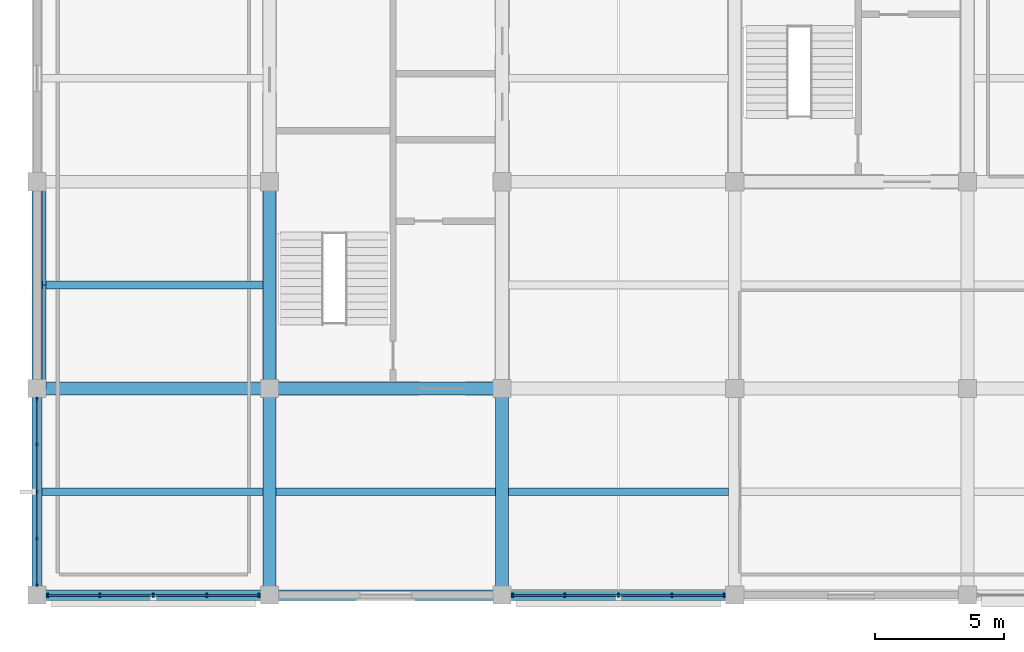
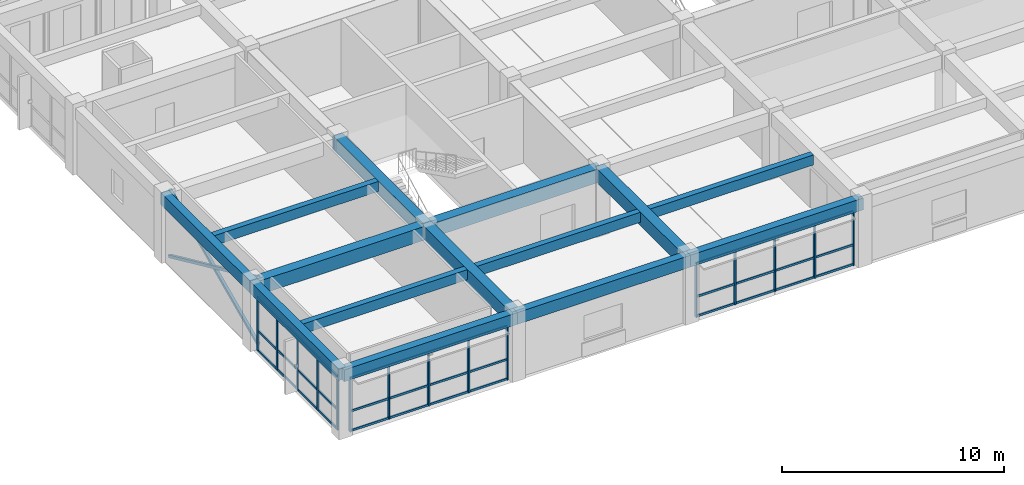
# One storey, part 2 of 13: 26 members, 14 beams, 3 elements without a shape of their own.
"""IFC4 building model written with IfcOpenShell, lengths in metres."""

from ifc_helpers import new_model, si_unit, direction, frame, origin, origin_2d, place, context, subcontext, project, spatial, rectangle, hollow_rectangle, extrude, material, material_profile, profile_set, type_object, element, aggregate, save


model = new_model("IFC4")

# Units and contexts
model_context = context("Model", 3, precision=1e-05, world=origin(), true_north=direction((0.0, 1.0)))
body_context = subcontext(model_context, "Body", "Model", "MODEL_VIEW")
ifc_project = project(units=[si_unit("LENGTHUNIT", "METRE"), si_unit("AREAUNIT", "SQUARE_METRE"), si_unit("VOLUMEUNIT", "CUBIC_METRE"), si_unit("PLANEANGLEUNIT", "RADIAN"), si_unit("MASSUNIT", "GRAM", prefix="KILO")], contexts=[model_context])

# Site, building, storey
site_placement = place(None, origin())
site = spatial("IfcSite", under=ifc_project, at=site_placement, CompositionType="ELEMENT")
building_placement = place(site_placement, origin())
building = spatial("IfcBuilding", under=site, at=building_placement, Name="Zaverband Oceanarium and Marine Research Institute", CompositionType="ELEMENT")
storey_placement = place(building_placement, frame((0.0, 0.0, 64.800048828125)))
storey = spatial("IfcBuildingStorey", under=building, at=storey_placement, Name="L16", CompositionType="ELEMENT", Elevation=64.800048828125)

# Beams
ifc_material_1 = material(Name="Concrete C40/50", Category="concrete")
ifc_material_profile_1 = material_profile(ifc_material_1, rectangle(XDim=0.5, YDim=0.75, at=origin_2d()), Name="RC500x750")
ifc_profile_set_1 = profile_set([ifc_material_profile_1], Name="Concrete C40/50")
beam_type_1 = type_object("IfcBeamType", Name="BM-500x750", PredefinedType="BEAM", material=ifc_profile_set_1)
for number, where, z_axis, x_axis, name in (
    (1, (9.0, 80.0, 3.27490234375), (1.0, 0.0, 0.0), (0.0, 1.0, 0.0), "Primary floor girder BM-500x750"),
    (2, (18.0, 80.0, 3.27490234375), (1.0, 0.0, 0.0), (0.0, 1.0, 0.0), "Primary floor girder BM-500x750"),
):
    element("IfcBeam", number, at=place(storey_placement, frame(where, z_axis=z_axis, x_axis=x_axis)), inside=storey, type_object=beam_type_1, Name=name, PredefinedType="BEAM", context=body_context, shape_type="SweptSolid", body=[
        extrude(rectangle(XDim=0.5, YDim=0.75, at=origin_2d()), origin(), (0.0, 0.0, 1.0), 9.0),
    ])
for number, where, z_axis, x_axis, name in (
    (3, (18.0, 72.0, 3.27490234375), (0.0, 1.0, 0.0), (-1.0, 0.0, 0.0), "Primary floor girder BM-500x750"),
    (4, (18.0, 80.0, 3.27490234375), (0.0, 1.0, 0.0), (-1.0, 0.0, 0.0), "Primary floor girder BM-500x750"),
    (5, (27.0, 72.0, 3.27490234375), (0.0, 1.0, 0.0), (-1.0, 0.0, 0.0), "Primary floor girder BM-500x750"),
):
    element("IfcBeam", number, at=place(storey_placement, frame(where, z_axis=z_axis, x_axis=x_axis)), inside=storey, type_object=beam_type_1, Name=name, PredefinedType="BEAM", context=body_context, shape_type="SweptSolid", body=[
        extrude(rectangle(XDim=0.5, YDim=0.75, at=origin_2d()), origin(), (0.0, 0.0, 1.0), 8.0),
    ])

# Members
ifc_material_2 = material(Name="Steel S355", Category="steel")
ifc_material_profile_2 = material_profile(ifc_material_2, hollow_rectangle(XDim=0.14990234375, YDim=0.14990234375, WallThickness=0.008056640625, at=origin_2d()), Name="SHS150x150x8")
ifc_profile_set_2 = profile_set([ifc_material_profile_2], Name="Steel S355")
member_type_1 = type_object("IfcMemberType", Name="BR-04", PredefinedType="BRACE", material=ifc_profile_set_2)
for number, where, z_axis, x_axis, name in (
    (6, (9.280029296875, 80.0, 0.0), (0.0, 0.909785572369, 0.415078561612), (-1.0, 0.0, 0.0), "Diagonal lateral brace BR-04"),
    (7, (9.280029296875, 88.0, 0.0), (0.0, -0.909785572369, 0.415078561612), (1.0, 0.0, 0.0), "Diagonal lateral brace BR-04"),
):
    element("IfcMember", number, at=place(storey_placement, frame(where, z_axis=z_axis, x_axis=x_axis)), inside=storey, type_object=member_type_1, Name=name, PredefinedType="BRACE", context=body_context, shape_type="SweptSolid", body=[
        extrude(hollow_rectangle(XDim=0.14990234375, YDim=0.14990234375, WallThickness=0.008056640625, at=origin_2d()), origin(), (0.0, 0.0, 1.0), 8.793212890625),
    ])

# Beams
ifc_material_profile_3 = material_profile(ifc_material_1, rectangle(XDim=0.300048828125, YDim=0.550048828125, at=origin_2d()), Name="RC300x550")
ifc_profile_set_3 = profile_set([ifc_material_profile_3], Name="Concrete C40/50")
beam_type_2 = type_object("IfcBeamType", Name="JST-300x550", PredefinedType="JOIST", material=ifc_profile_set_3)
for number, where, z_axis, x_axis, name in (
    (8, (9.199951171875, 76.0, 3.375), (1.0, 0.0, 0.0), (0.0, 1.0, 0.0), "Secondary floor joist JST-300x550"),
    (9, (9.199951171875, 84.0, 3.375), (1.0, 0.0, 0.0), (0.0, 1.0, 0.0), "Secondary floor joist JST-300x550"),
):
    element("IfcBeam", number, at=place(storey_placement, frame(where, z_axis=z_axis, x_axis=x_axis)), inside=storey, type_object=beam_type_2, Name=name, PredefinedType="JOIST", context=body_context, shape_type="SweptSolid", body=[
        extrude(rectangle(XDim=0.300048828125, YDim=0.550048828125, at=origin_2d()), origin(), (0.0, 0.0, 1.0), 8.550048828125),
    ])
for number, where, z_axis, x_axis, name in (
    (10, (18.25, 76.0, 3.375), (1.0, 0.0, 0.0), (0.0, 1.0, 0.0), "Secondary floor joist JST-300x550"),
    (11, (27.25, 76.0, 3.375), (1.0, 0.0, 0.0), (0.0, 1.0, 0.0), "Secondary floor joist JST-300x550"),
):
    element("IfcBeam", number, at=place(storey_placement, frame(where, z_axis=z_axis, x_axis=x_axis)), inside=storey, type_object=beam_type_2, Name=name, PredefinedType="JOIST", context=body_context, shape_type="SweptSolid", body=[
        extrude(rectangle(XDim=0.300048828125, YDim=0.550048828125, at=origin_2d()), origin(), (0.0, 0.0, 1.0), 8.5),
    ])

# Curtain wall, members
ifc_material_3 = material(Name="Thermally broken anodized aluminium and solar-control glass", Category="aluminium")
curtain_wall_type = type_object("IfcCurtainWallType", Name="CW-UNIT-1800", PredefinedType="NOTDEFINED", material=ifc_material_3)
curtain_wall_1_placement = place(storey_placement, origin())
curtain_wall_1 = element("IfcCurtainWall", 12, at=curtain_wall_1_placement, inside=storey, type_object=curtain_wall_type, Name="Unitised glazed curtain wall CW-165", PredefinedType="NOTDEFINED")
ifc_material_4 = material(Name="Thermally broken anodized aluminium", Category="aluminium")
ifc_material_profile_4 = material_profile(ifc_material_4, rectangle(XDim=0.070068359375, YDim=0.14990234375, at=origin_2d()), Name="AL-MUL-70x150")
ifc_profile_set_4 = profile_set([ifc_material_profile_4], Name="Thermally broken anodized aluminium")
member_type_2 = type_object("IfcMemberType", Name="MUL-70x150", PredefinedType="MULLION", material=ifc_profile_set_4)
member_1_placement = place(storey_placement, frame((9.4150390625, 72.0, 0.0), z_axis=(0.0, 0.0, 1.0), x_axis=(1.0, 0.0, 0.0)))
member_1 = element("IfcMember", 13, at=member_1_placement, type_object=member_type_2, Name="Curtain wall vertical mullion MUL-70x150", PredefinedType="MULLION", context=body_context, shape_type="SweptSolid", body=[
    extrude(rectangle(XDim=0.070068359375, YDim=0.14990234375, at=origin_2d()), origin(), (0.0, 0.0, 1.0), 2.97998046875),
])
member_2_placement = place(storey_placement, frame((11.427490234375, 72.0, 0.0), z_axis=(0.0, 0.0, 1.0), x_axis=(1.0, 0.0, 0.0)))
member_2 = element("IfcMember", 14, at=member_2_placement, type_object=member_type_2, Name="Curtain wall vertical mullion MUL-70x150", PredefinedType="MULLION", context=body_context, shape_type="SweptSolid", body=[
    extrude(rectangle(XDim=0.070068359375, YDim=0.14990234375, at=origin_2d()), origin(), (0.0, 0.0, 1.0), 2.97998046875),
])
member_3_placement = place(storey_placement, frame((13.5, 72.0, 0.0), z_axis=(0.0, 0.0, 1.0), x_axis=(1.0, 0.0, 0.0)))
member_3 = element("IfcMember", 15, at=member_3_placement, type_object=member_type_2, Name="Curtain wall vertical mullion MUL-70x150", PredefinedType="MULLION", context=body_context, shape_type="SweptSolid", body=[
    extrude(rectangle(XDim=0.070068359375, YDim=0.14990234375, at=origin_2d()), origin(), (0.0, 0.0, 1.0), 2.97998046875),
])
member_4_placement = place(storey_placement, frame((15.572509765625, 72.0, 0.0), z_axis=(0.0, 0.0, 1.0), x_axis=(1.0, 0.0, 0.0)))
member_4 = element("IfcMember", 16, at=member_4_placement, type_object=member_type_2, Name="Curtain wall vertical mullion MUL-70x150", PredefinedType="MULLION", context=body_context, shape_type="SweptSolid", body=[
    extrude(rectangle(XDim=0.070068359375, YDim=0.14990234375, at=origin_2d()), origin(), (0.0, 0.0, 1.0), 2.97998046875),
])
member_5_placement = place(storey_placement, frame((17.5849609375, 72.0, 0.0), z_axis=(0.0, 0.0, 1.0), x_axis=(1.0, 0.0, 0.0)))
member_5 = element("IfcMember", 17, at=member_5_placement, type_object=member_type_2, Name="Curtain wall vertical mullion MUL-70x150", PredefinedType="MULLION", context=body_context, shape_type="SweptSolid", body=[
    extrude(rectangle(XDim=0.070068359375, YDim=0.14990234375, at=origin_2d()), origin(), (0.0, 0.0, 1.0), 2.97998046875),
])

curtain_wall_2_placement = place(storey_placement, origin())
curtain_wall_2 = element("IfcCurtainWall", 18, at=curtain_wall_2_placement, inside=storey, type_object=curtain_wall_type, Name="Unitised glazed curtain wall CW-166", PredefinedType="NOTDEFINED")
member_6_placement = place(storey_placement, frame((27.4150390625, 72.0, 0.0), z_axis=(0.0, 0.0, 1.0), x_axis=(1.0, 0.0, 0.0)))
member_6 = element("IfcMember", 19, at=member_6_placement, type_object=member_type_2, Name="Curtain wall vertical mullion MUL-70x150", PredefinedType="MULLION", context=body_context, shape_type="SweptSolid", body=[
    extrude(rectangle(XDim=0.070068359375, YDim=0.14990234375, at=origin_2d()), origin(), (0.0, 0.0, 1.0), 2.97998046875),
])
member_7_placement = place(storey_placement, frame((29.427490234375, 72.0, 0.0), z_axis=(0.0, 0.0, 1.0), x_axis=(1.0, 0.0, 0.0)))
member_7 = element("IfcMember", 20, at=member_7_placement, type_object=member_type_2, Name="Curtain wall vertical mullion MUL-70x150", PredefinedType="MULLION", context=body_context, shape_type="SweptSolid", body=[
    extrude(rectangle(XDim=0.070068359375, YDim=0.14990234375, at=origin_2d()), origin(), (0.0, 0.0, 1.0), 2.97998046875),
])
member_8_placement = place(storey_placement, frame((31.5, 72.0, 0.0), z_axis=(0.0, 0.0, 1.0), x_axis=(1.0, 0.0, 0.0)))
member_8 = element("IfcMember", 21, at=member_8_placement, type_object=member_type_2, Name="Curtain wall vertical mullion MUL-70x150", PredefinedType="MULLION", context=body_context, shape_type="SweptSolid", body=[
    extrude(rectangle(XDim=0.070068359375, YDim=0.14990234375, at=origin_2d()), origin(), (0.0, 0.0, 1.0), 2.97998046875),
])
member_9_placement = place(storey_placement, frame((33.572509765625, 72.0, 0.0), z_axis=(0.0, 0.0, 1.0), x_axis=(1.0, 0.0, 0.0)))
member_9 = element("IfcMember", 22, at=member_9_placement, type_object=member_type_2, Name="Curtain wall vertical mullion MUL-70x150", PredefinedType="MULLION", context=body_context, shape_type="SweptSolid", body=[
    extrude(rectangle(XDim=0.070068359375, YDim=0.14990234375, at=origin_2d()), origin(), (0.0, 0.0, 1.0), 2.97998046875),
])
member_10_placement = place(storey_placement, frame((35.5849609375, 72.0, 0.0), z_axis=(0.0, 0.0, 1.0), x_axis=(1.0, 0.0, 0.0)))
member_10 = element("IfcMember", 23, at=member_10_placement, type_object=member_type_2, Name="Curtain wall vertical mullion MUL-70x150", PredefinedType="MULLION", context=body_context, shape_type="SweptSolid", body=[
    extrude(rectangle(XDim=0.070068359375, YDim=0.14990234375, at=origin_2d()), origin(), (0.0, 0.0, 1.0), 2.97998046875),
])

curtain_wall_3_placement = place(storey_placement, origin())
curtain_wall_3 = element("IfcCurtainWall", 24, at=curtain_wall_3_placement, inside=storey, type_object=curtain_wall_type, Name="Unitised glazed curtain wall CW-171", PredefinedType="NOTDEFINED")
member_11_placement = place(storey_placement, frame((9.0, 72.4150390625, 0.0), z_axis=(0.0, 0.0, 1.0), x_axis=(1.0, 0.0, 0.0)))
member_11 = element("IfcMember", 25, at=member_11_placement, type_object=member_type_2, Name="Curtain wall vertical mullion MUL-70x150", PredefinedType="MULLION", context=body_context, shape_type="SweptSolid", body=[
    extrude(rectangle(XDim=0.070068359375, YDim=0.14990234375, at=origin_2d()), origin(), (0.0, 0.0, 1.0), 2.97998046875),
])
member_12_placement = place(storey_placement, frame((9.0, 74.177490234375, 0.0), z_axis=(0.0, 0.0, 1.0), x_axis=(1.0, 0.0, 0.0)))
member_12 = element("IfcMember", 26, at=member_12_placement, type_object=member_type_2, Name="Curtain wall vertical mullion MUL-70x150", PredefinedType="MULLION", context=body_context, shape_type="SweptSolid", body=[
    extrude(rectangle(XDim=0.070068359375, YDim=0.14990234375, at=origin_2d()), origin(), (0.0, 0.0, 1.0), 2.97998046875),
])
member_13_placement = place(storey_placement, frame((9.0, 76.0, 0.0), z_axis=(0.0, 0.0, 1.0), x_axis=(1.0, 0.0, 0.0)))
member_13 = element("IfcMember", 27, at=member_13_placement, type_object=member_type_2, Name="Curtain wall vertical mullion MUL-70x150", PredefinedType="MULLION", context=body_context, shape_type="SweptSolid", body=[
    extrude(rectangle(XDim=0.070068359375, YDim=0.14990234375, at=origin_2d()), origin(), (0.0, 0.0, 1.0), 2.97998046875),
])
member_14_placement = place(storey_placement, frame((9.0, 77.822509765625, 0.0), z_axis=(0.0, 0.0, 1.0), x_axis=(1.0, 0.0, 0.0)))
member_14 = element("IfcMember", 28, at=member_14_placement, type_object=member_type_2, Name="Curtain wall vertical mullion MUL-70x150", PredefinedType="MULLION", context=body_context, shape_type="SweptSolid", body=[
    extrude(rectangle(XDim=0.070068359375, YDim=0.14990234375, at=origin_2d()), origin(), (0.0, 0.0, 1.0), 2.97998046875),
])
member_15_placement = place(storey_placement, frame((9.0, 79.5849609375, 0.0), z_axis=(0.0, 0.0, 1.0), x_axis=(1.0, 0.0, 0.0)))
member_15 = element("IfcMember", 29, at=member_15_placement, type_object=member_type_2, Name="Curtain wall vertical mullion MUL-70x150", PredefinedType="MULLION", context=body_context, shape_type="SweptSolid", body=[
    extrude(rectangle(XDim=0.070068359375, YDim=0.14990234375, at=origin_2d()), origin(), (0.0, 0.0, 1.0), 2.97998046875),
])

# Beams
ifc_material_profile_5 = material_profile(ifc_material_1, rectangle(XDim=0.39990234375, YDim=0.64990234375, at=origin_2d()), Name="RC400x650")
ifc_profile_set_5 = profile_set([ifc_material_profile_5], Name="Concrete C40/50")
beam_type_3 = type_object("IfcBeamType", Name="SPN-400x650", PredefinedType="SPANDREL", material=ifc_profile_set_5)
for number, where, z_axis, x_axis, name in (
    (30, (9.0, 72.0, 3.324951171875), (1.0, 0.0, 0.0), (0.0, 1.0, 0.0), "Perimeter spandrel beam SPN-400x650"),
    (31, (18.0, 72.0, 3.324951171875), (1.0, 0.0, 0.0), (0.0, 1.0, 0.0), "Perimeter spandrel beam SPN-400x650"),
    (32, (27.0, 72.0, 3.324951171875), (1.0, 0.0, 0.0), (0.0, 1.0, 0.0), "Perimeter spandrel beam SPN-400x650"),
):
    element("IfcBeam", number, at=place(storey_placement, frame(where, z_axis=z_axis, x_axis=x_axis)), inside=storey, type_object=beam_type_3, Name=name, PredefinedType="SPANDREL", context=body_context, shape_type="SweptSolid", body=[
        extrude(rectangle(XDim=0.39990234375, YDim=0.64990234375, at=origin_2d()), origin(), (0.0, 0.0, 1.0), 9.0),
    ])
for number, where, z_axis, x_axis, name in (
    (33, (9.0, 72.0, 3.324951171875), (0.0, 1.0, 0.0), (-1.0, 0.0, 0.0), "Perimeter spandrel beam SPN-400x650"),
    (34, (9.0, 80.0, 3.324951171875), (0.0, 1.0, 0.0), (-1.0, 0.0, 0.0), "Perimeter spandrel beam SPN-400x650"),
):
    element("IfcBeam", number, at=place(storey_placement, frame(where, z_axis=z_axis, x_axis=x_axis)), inside=storey, type_object=beam_type_3, Name=name, PredefinedType="SPANDREL", context=body_context, shape_type="SweptSolid", body=[
        extrude(rectangle(XDim=0.39990234375, YDim=0.64990234375, at=origin_2d()), origin(), (0.0, 0.0, 1.0), 8.0),
    ])

# Member
ifc_material_profile_6 = material_profile(ifc_material_4, rectangle(XDim=0.070068359375, YDim=0.114990234375, at=origin_2d()), Name="AL-TRN-70x115")
ifc_profile_set_6 = profile_set([ifc_material_profile_6], Name="Thermally broken anodized aluminium")
member_type_3 = type_object("IfcMemberType", Name="TRN-70x115", PredefinedType="USERDEFINED", material=ifc_profile_set_6)
member_16_placement = place(storey_placement, frame((9.4150390625, 72.0, 0.050048828125), z_axis=(1.0, 0.0, 0.0), x_axis=(0.0, 1.0, 0.0)))
member_16 = element("IfcMember", 35, at=member_16_placement, type_object=member_type_3, Name="Curtain wall horizontal transom TRN-70x115", ObjectType="TRANSOM", PredefinedType="USERDEFINED", context=body_context, shape_type="SweptSolid", body=[
    extrude(rectangle(XDim=0.070068359375, YDim=0.114990234375, at=origin_2d()), origin(), (0.0, 0.0, 1.0), 8.169921875),
])

member_17_placement = place(storey_placement, frame((9.4150390625, 72.0, 1.123046875), z_axis=(1.0, 0.0, 0.0), x_axis=(0.0, 1.0, 0.0)))
member_17 = element("IfcMember", 36, at=member_17_placement, type_object=member_type_3, Name="Curtain wall horizontal transom TRN-70x115", ObjectType="TRANSOM", PredefinedType="USERDEFINED", context=body_context, shape_type="SweptSolid", body=[
    extrude(rectangle(XDim=0.070068359375, YDim=0.114990234375, at=origin_2d()), origin(), (0.0, 0.0, 1.0), 8.169921875),
])

member_18_placement = place(storey_placement, frame((9.4150390625, 72.0, 2.929931640625), z_axis=(1.0, 0.0, 0.0), x_axis=(0.0, 1.0, 0.0)))
member_18 = element("IfcMember", 37, at=member_18_placement, type_object=member_type_3, Name="Curtain wall horizontal transom TRN-70x115", ObjectType="TRANSOM", PredefinedType="USERDEFINED", context=body_context, shape_type="SweptSolid", body=[
    extrude(rectangle(XDim=0.070068359375, YDim=0.114990234375, at=origin_2d()), origin(), (0.0, 0.0, 1.0), 8.169921875),
])

aggregate(curtain_wall_1, [member_1, member_2, member_3, member_4, member_5, member_16, member_17, member_18])

member_19_placement = place(storey_placement, frame((27.4150390625, 72.0, 0.050048828125), z_axis=(1.0, 0.0, 0.0), x_axis=(0.0, 1.0, 0.0)))
member_19 = element("IfcMember", 38, at=member_19_placement, type_object=member_type_3, Name="Curtain wall horizontal transom TRN-70x115", ObjectType="TRANSOM", PredefinedType="USERDEFINED", context=body_context, shape_type="SweptSolid", body=[
    extrude(rectangle(XDim=0.070068359375, YDim=0.114990234375, at=origin_2d()), origin(), (0.0, 0.0, 1.0), 8.169921875),
])

member_20_placement = place(storey_placement, frame((27.4150390625, 72.0, 1.123046875), z_axis=(1.0, 0.0, 0.0), x_axis=(0.0, 1.0, 0.0)))
member_20 = element("IfcMember", 39, at=member_20_placement, type_object=member_type_3, Name="Curtain wall horizontal transom TRN-70x115", ObjectType="TRANSOM", PredefinedType="USERDEFINED", context=body_context, shape_type="SweptSolid", body=[
    extrude(rectangle(XDim=0.070068359375, YDim=0.114990234375, at=origin_2d()), origin(), (0.0, 0.0, 1.0), 8.169921875),
])

member_21_placement = place(storey_placement, frame((27.4150390625, 72.0, 2.929931640625), z_axis=(1.0, 0.0, 0.0), x_axis=(0.0, 1.0, 0.0)))
member_21 = element("IfcMember", 40, at=member_21_placement, type_object=member_type_3, Name="Curtain wall horizontal transom TRN-70x115", ObjectType="TRANSOM", PredefinedType="USERDEFINED", context=body_context, shape_type="SweptSolid", body=[
    extrude(rectangle(XDim=0.070068359375, YDim=0.114990234375, at=origin_2d()), origin(), (0.0, 0.0, 1.0), 8.169921875),
])

aggregate(curtain_wall_2, [member_6, member_7, member_8, member_9, member_10, member_19, member_20, member_21])

member_22_placement = place(storey_placement, frame((9.0, 72.4150390625, 0.050048828125), z_axis=(0.0, 1.0, 0.0), x_axis=(-1.0, 0.0, 0.0)))
member_22 = element("IfcMember", 41, at=member_22_placement, type_object=member_type_3, Name="Curtain wall horizontal transom TRN-70x115", ObjectType="TRANSOM", PredefinedType="USERDEFINED", context=body_context, shape_type="SweptSolid", body=[
    extrude(rectangle(XDim=0.070068359375, YDim=0.114990234375, at=origin_2d()), origin(), (0.0, 0.0, 1.0), 7.169921875),
])

member_23_placement = place(storey_placement, frame((9.0, 72.4150390625, 1.123046875), z_axis=(0.0, 1.0, 0.0), x_axis=(-1.0, 0.0, 0.0)))
member_23 = element("IfcMember", 42, at=member_23_placement, type_object=member_type_3, Name="Curtain wall horizontal transom TRN-70x115", ObjectType="TRANSOM", PredefinedType="USERDEFINED", context=body_context, shape_type="SweptSolid", body=[
    extrude(rectangle(XDim=0.070068359375, YDim=0.114990234375, at=origin_2d()), origin(), (0.0, 0.0, 1.0), 7.169921875),
])

member_24_placement = place(storey_placement, frame((9.0, 72.4150390625, 2.929931640625), z_axis=(0.0, 1.0, 0.0), x_axis=(-1.0, 0.0, 0.0)))
member_24 = element("IfcMember", 43, at=member_24_placement, type_object=member_type_3, Name="Curtain wall horizontal transom TRN-70x115", ObjectType="TRANSOM", PredefinedType="USERDEFINED", context=body_context, shape_type="SweptSolid", body=[
    extrude(rectangle(XDim=0.070068359375, YDim=0.114990234375, at=origin_2d()), origin(), (0.0, 0.0, 1.0), 7.169921875),
])

aggregate(curtain_wall_3, [member_11, member_12, member_13, member_14, member_15, member_22, member_23, member_24])

save(model, "model.ifc")
